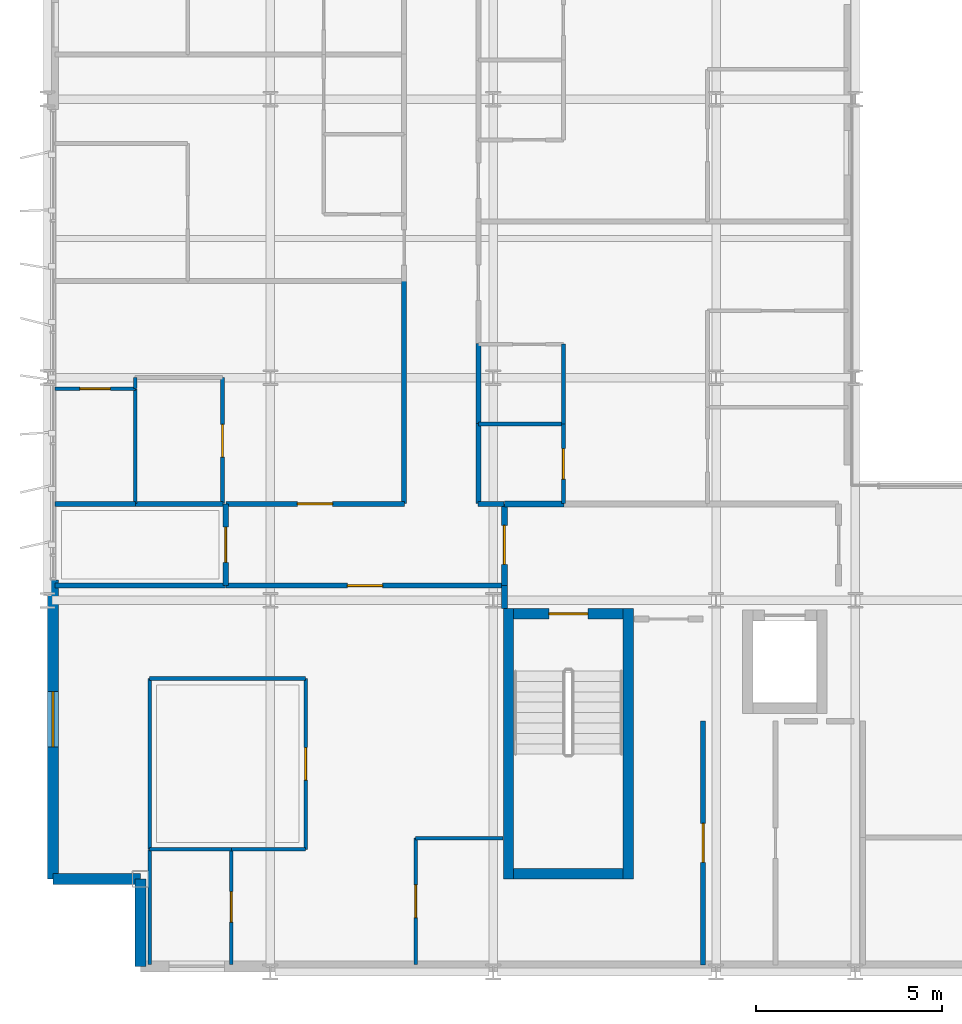
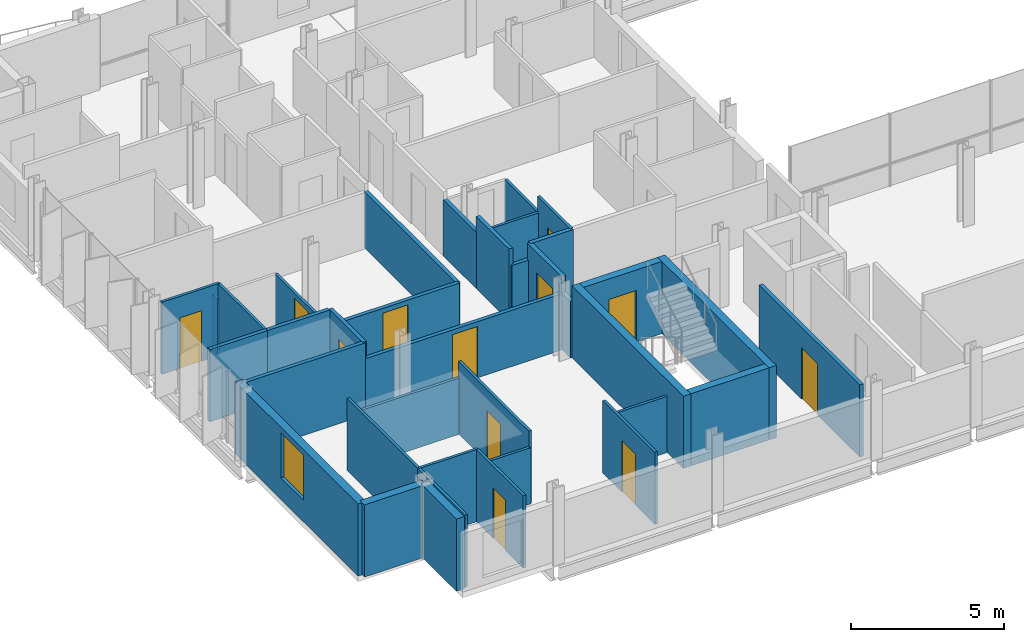
# One storey, part 27 of 39: 37 walls, 12 doors, 1 window, 13 openings.
"""IFC4 building model written with IfcOpenShell, lengths in metres."""

from ifc_helpers import new_model, si_unit, direction, frame, frame_2d, origin, place, context, subcontext, project, spatial, rectangle, extrude, material, layer, layer_set, type_object, element, fill, save


model = new_model("IFC4")

# Units and contexts
model_context = context("Model", 3, precision=1e-05, world=origin(), true_north=direction((0.0, 1.0)))
body_context = subcontext(model_context, "Body", "Model", "MODEL_VIEW")
ifc_project = project(units=[si_unit("LENGTHUNIT", "METRE"), si_unit("AREAUNIT", "SQUARE_METRE"), si_unit("VOLUMEUNIT", "CUBIC_METRE"), si_unit("PLANEANGLEUNIT", "RADIAN"), si_unit("MASSUNIT", "GRAM", prefix="KILO")], contexts=[model_context])

# Site, building, storey
site_placement = place(None, origin())
site = spatial("IfcSite", under=ifc_project, at=site_placement, CompositionType="ELEMENT")
building_placement = place(site_placement, origin())
building = spatial("IfcBuilding", under=site, at=building_placement, Name="Brevholm Reach", CompositionType="ELEMENT")
storey_placement = place(building_placement, frame((0.0, 0.0, 103.5)))
storey = spatial("IfcBuildingStorey", under=building, at=storey_placement, Name="L30", CompositionType="ELEMENT", Elevation=103.5)

# Walls
ifc_material_1 = material(Name="Concrete C50/60", Category="concrete")
ifc_layer_1 = layer(ifc_material_1, 0.280029296875)
ifc_layer_set_1 = layer_set([ifc_layer_1], Name="Concrete C50/60")
wall_type_1 = type_object("IfcWallType", Name="WAL-COR-280", PredefinedType="SHEAR", material=ifc_layer_set_1)
for number, where, z_axis, x_axis, name in (
    (1, (12.409912109375, 2.5, 0.0), (0.0, 0.0, 1.0), (0.0, 1.0, 0.0), "L30 Escape Stair ST-1 Core Wall W"),
    (2, (15.639892578125, 2.5, 0.0), (0.0, 0.0, 1.0), (0.0, 1.0, 0.0), "L30 Escape Stair ST-1 Core Wall E"),
):
    element("IfcWall", number, at=place(storey_placement, frame(where, z_axis=z_axis, x_axis=x_axis)), inside=storey, type_object=wall_type_1, Name=name, PredefinedType="SHEAR", context=body_context, shape_type="SweptSolid", body=[
        extrude(rectangle(XDim=7.280029296875, YDim=0.280029296875, at=frame_2d((3.64013671875, 0.0))), origin(), (0.0, 0.0, 1.0), 2.8798828125),
    ])
wall_1_placement = place(storey_placement, frame((12.550048828125, 2.639892578125, 0.0), z_axis=(0.0, 0.0, 1.0), x_axis=(1.0, 0.0, 0.0)))
element("IfcWall", 3, at=wall_1_placement, inside=storey, type_object=wall_type_1, Name="L30 Escape Stair ST-1 Core Wall S", PredefinedType="SHEAR", context=body_context, shape_type="SweptSolid", body=[
    extrude(rectangle(XDim=2.949951171875, YDim=0.280029296875, at=frame_2d((1.47509765625, 0.0))), origin(), (0.0, 0.0, 1.0), 2.8798828125),
])

# Wall, opening, door
wall_2_placement = place(storey_placement, frame((15.5, 9.639892578125, 0.0), z_axis=(0.0, 0.0, 1.0), x_axis=(-1.0, 0.0, 0.0)))
wall_2 = element("IfcWall", 4, at=wall_2_placement, inside=storey, type_object=wall_type_1, Name="L30 Escape Stair ST-1 Core Wall N", PredefinedType="SHEAR", context=body_context, shape_type="SweptSolid", body=[
    extrude(rectangle(XDim=2.949951171875, YDim=0.280029296875, at=frame_2d((1.47509765625, 0.0))), origin(), (0.0, 0.0, 1.0), 2.8798828125),
])
opening_1_placement = place(wall_2_placement, frame((0.949951171875, 0.0, 0.0)))
opening_1 = element("IfcOpeningElement", 5, at=opening_1_placement, cuts=wall_2, Name="Opening SD-ST-1", PredefinedType="OPENING", context=body_context, shape_type="SweptSolid", body=[
    extrude(rectangle(XDim=1.050048828125, YDim=2.06005859375, at=frame_2d((0.52490234375, 1.030029296875))), frame((0.0, 0.14990234375, 0.0), z_axis=(0.0, -1.0, 0.0), x_axis=(1.0, 0.0, 0.0)), (0.0, 0.0, 1.0), 0.300048828125),
])
ifc_material_2 = material(Name="Hardwood-Lipped Steel-Core Fire and Smoke Door", Category="steel")
door_type_1 = type_object("IfcDoorType", Name="DOR-INT-FD60S", OperationType="NOTDEFINED", PredefinedType="DOOR", material=ifc_material_2)
door_1_placement = place(opening_1_placement, origin())
door_1 = element("IfcDoor", 6, at=door_1_placement, inside=storey, type_object=door_type_1, Name="L30 Protected Stair ST-1 Lobby Door", OperationType="SINGLE_SWING_RIGHT", OverallHeight=2.06005859375, OverallWidth=1.050048828125, PredefinedType="DOOR", context=body_context, shape_type="SweptSolid", body=[
    extrude(rectangle(XDim=1.050048828125, YDim=2.06005859375, at=frame_2d((0.52490234375, 1.030029296875))), frame((0.0, 0.02490234375, 0.0), z_axis=(0.0, -1.0, 0.0), x_axis=(1.0, 0.0, 0.0)), (0.0, 0.0, 1.0), 0.050048828125),
])
fill(opening_1, door_1)

# Walls
ifc_material_3 = material(Name="Concrete C40/50", Category="concrete")
ifc_layer_2 = layer(ifc_material_3, 0.300048828125)
ifc_layer_set_2 = layer_set([ifc_layer_2], Name="Concrete C40/50")
wall_type_2 = type_object("IfcWallType", Name="WAL-EXT-300", PredefinedType="STANDARD", material=ifc_layer_set_2)
for number, where, z_axis, x_axis, name in (
    (7, (2.5, 2.5, 0.0), (0.0, 0.0, 1.0), (0.0, -1.0, 0.0), "L30 Facade Wall WAL-L30-CSW1"),
    (8, (0.14990234375, 2.5, 0.0), (0.0, 0.0, 1.0), (1.0, 0.0, 0.0), "L30 Facade Wall WAL-L30-CSW2"),
):
    element("IfcWall", number, at=place(storey_placement, frame(where, z_axis=z_axis, x_axis=x_axis)), inside=storey, type_object=wall_type_2, Name=name, PredefinedType="STANDARD", context=body_context, shape_type="SweptSolid", body=[
        extrude(rectangle(XDim=2.35009765625, YDim=0.300048828125, at=frame_2d((1.175048828125, 0.0))), origin(), (0.0, 0.0, 1.0), 2.8798828125),
    ])

# Wall, opening, window
wall_3_placement = place(storey_placement, frame((0.14990234375, 10.550048828125, 0.0), z_axis=(0.0, 0.0, 1.0), x_axis=(0.0, -1.0, 0.0)))
wall_3 = element("IfcWall", 9, at=wall_3_placement, inside=storey, type_object=wall_type_2, Name="L30 Facade Wall WAL-L30-W-S", PredefinedType="STANDARD", context=body_context, shape_type="SweptSolid", body=[
    extrude(rectangle(XDim=8.050048828125, YDim=0.300048828125, at=frame_2d((4.02490234375, 0.0))), origin(), (0.0, 0.0, 1.0), 2.8798828125),
])
opening_2_placement = place(wall_3_placement, frame((3.0, 0.0, 0.860107421875)))
opening_2 = element("IfcOpeningElement", 10, at=opening_2_placement, cuts=wall_3, Name="Opening WN-05", PredefinedType="OPENING", context=body_context, shape_type="SweptSolid", body=[
    extrude(rectangle(XDim=1.5, YDim=1.800048828125, at=frame_2d((0.75, 0.89990234375))), frame((0.0, 0.159912109375, 0.0), z_axis=(0.0, -1.0, 0.0), x_axis=(1.0, 0.0, 0.0)), (0.0, 0.0, 1.0), 0.320068359375),
])
ifc_material_4 = material(Name="Dark Anodised Aluminium and Solar-Control IGU Glass", Category="aluminium")
window_type = type_object("IfcWindowType", Name="WIN-RES-1500", PartitioningType="SINGLE_PANEL", PredefinedType="WINDOW", material=ifc_material_4)
window_placement = place(opening_2_placement, origin())
window = element("IfcWindow", 11, at=window_placement, inside=storey, type_object=window_type, Name="L30 Window WIN-L30-WS-1", OverallHeight=1.800048828125, OverallWidth=1.5, PartitioningType="SINGLE_PANEL", PredefinedType="WINDOW", context=body_context, shape_type="SweptSolid", body=[
    extrude(rectangle(XDim=1.5, YDim=1.800048828125, at=frame_2d((0.75, 0.89990234375))), frame((0.0, 0.030029296875, 0.0), z_axis=(0.0, -1.0, 0.0), x_axis=(1.0, 0.0, 0.0)), (0.0, 0.0, 1.0), 0.06005859375),
])
fill(opening_2, window)

# Wall
ifc_material_5 = material(Name="Moisture-Resistant Acoustic Gypsum Stud Partition 100 mm", Category="gypsum")
ifc_layer_3 = layer(ifc_material_5, 0.10009765625)
ifc_layer_set_3 = layer_set([ifc_layer_3], Name="Moisture-Resistant Acoustic Gypsum Stud Partition 100 mm")
wall_type_3 = type_object("IfcWallType", Name="WAL-PRT-100", PredefinedType="PARTITIONING", material=ifc_layer_set_3)
wall_4_placement = place(storey_placement, frame((2.75, 3.300048828125, 0.0), z_axis=(0.0, 0.0, 1.0), x_axis=(1.0, 0.0, 0.0)))
element("IfcWall", 12, at=wall_4_placement, inside=storey, type_object=wall_type_3, Name="L30 Internal Partition 063", PredefinedType="PARTITIONING", context=body_context, shape_type="SweptSolid", body=[
    extrude(rectangle(XDim=2.197021484375, YDim=0.10009765625, at=frame_2d((1.0986328125, 0.0))), origin(), (0.0, 0.0, 1.0), 2.8798828125),
])

# Wall, opening, door
wall_5_placement = place(storey_placement, frame((4.947021484375, 0.199951171875, 0.0), z_axis=(0.0, 0.0, 1.0), x_axis=(0.0, 1.0, 0.0)))
wall_5 = element("IfcWall", 13, at=wall_5_placement, inside=storey, type_object=wall_type_3, Name="L30 Internal Partition 064", PredefinedType="PARTITIONING", context=body_context, shape_type="SweptSolid", body=[
    extrude(rectangle(XDim=3.10009765625, YDim=0.10009765625, at=frame_2d((1.550048828125, 0.0))), origin(), (0.0, 0.0, 1.0), 2.8798828125),
])
opening_3_placement = place(wall_5_placement, frame((1.139892578125, 0.0, 0.0)))
opening_3 = element("IfcOpeningElement", 14, at=opening_3_placement, cuts=wall_5, Name="Opening ID-03", PredefinedType="OPENING", context=body_context, shape_type="SweptSolid", body=[
    extrude(rectangle(XDim=0.820068359375, YDim=2.02001953125, at=frame_2d((0.41015625, 1.010009765625))), frame((0.0, 0.06005859375, 0.0), z_axis=(0.0, -1.0, 0.0), x_axis=(1.0, 0.0, 0.0)), (0.0, 0.0, 1.0), 0.1201171875),
])
ifc_material_6 = material(Name="Moisture-Resistant Painted Timber Internal Bathroom Door", Category="wood")
door_type_2 = type_object("IfcDoorType", Name="DOR-BATH-820", OperationType="NOTDEFINED", PredefinedType="DOOR", material=ifc_material_6)
door_2_placement = place(opening_3_placement, origin())
door_2 = element("IfcDoor", 15, at=door_2_placement, inside=storey, type_object=door_type_2, Name="L30 Internal Door 025", OperationType="SINGLE_SWING_LEFT", OverallHeight=2.02001953125, OverallWidth=0.820068359375, PredefinedType="DOOR", context=body_context, shape_type="SweptSolid", body=[
    extrude(rectangle(XDim=0.820068359375, YDim=2.02001953125, at=frame_2d((0.41015625, 1.010009765625))), frame((0.0, 0.02490234375, 0.0), z_axis=(0.0, -1.0, 0.0), x_axis=(1.0, 0.0, 0.0)), (0.0, 0.0, 1.0), 0.050048828125),
])
fill(opening_3, door_2)

# Walls
wall_6_placement = place(storey_placement, frame((2.75, 0.199951171875, 0.0), z_axis=(0.0, 0.0, 1.0), x_axis=(0.0, 1.0, 0.0)))
element("IfcWall", 16, at=wall_6_placement, inside=storey, type_object=wall_type_3, Name="L30 Internal Partition 065", PredefinedType="PARTITIONING", context=body_context, shape_type="SweptSolid", body=[
    extrude(rectangle(XDim=3.10009765625, YDim=0.10009765625, at=frame_2d((1.550048828125, 0.0))), origin(), (0.0, 0.0, 1.0), 2.8798828125),
])
wall_7_placement = place(storey_placement, frame((9.912109375, 3.60009765625, 0.0), z_axis=(0.0, 0.0, 1.0), x_axis=(1.0, 0.0, 0.0)))
element("IfcWall", 17, at=wall_7_placement, inside=storey, type_object=wall_type_3, Name="L30 Internal Partition 066", PredefinedType="PARTITIONING", context=body_context, shape_type="SweptSolid", body=[
    extrude(rectangle(XDim=2.347900390625, YDim=0.10009765625, at=frame_2d((1.173828125, 0.0))), origin(), (0.0, 0.0, 1.0), 2.242919921875),
])

# Wall, opening, door
wall_8_placement = place(storey_placement, frame((9.912109375, 0.199951171875, 0.0), z_axis=(0.0, 0.0, 1.0), x_axis=(0.0, 1.0, 0.0)))
wall_8 = element("IfcWall", 18, at=wall_8_placement, inside=storey, type_object=wall_type_3, Name="L30 Internal Partition 067", PredefinedType="PARTITIONING", context=body_context, shape_type="SweptSolid", body=[
    extrude(rectangle(XDim=3.400146484375, YDim=0.10009765625, at=frame_2d((1.7001953125, 0.0))), origin(), (0.0, 0.0, 1.0), 2.8798828125),
])
opening_4_placement = place(wall_8_placement, frame((1.260009765625, 0.0, 0.0)))
opening_4 = element("IfcOpeningElement", 19, at=opening_4_placement, cuts=wall_8, Name="Opening ID-01", PredefinedType="OPENING", context=body_context, shape_type="SweptSolid", body=[
    extrude(rectangle(XDim=0.8798828125, YDim=2.0400390625, at=frame_2d((0.43994140625, 1.02001953125))), frame((0.0, 0.06005859375, 0.0), z_axis=(0.0, -1.0, 0.0), x_axis=(1.0, 0.0, 0.0)), (0.0, 0.0, 1.0), 0.1201171875),
])
ifc_material_7 = material(Name="Lacquered Ash Solid-Core Acoustic Internal Door", Category="timber")
door_type_3 = type_object("IfcDoorType", Name="DOR-INT-880", OperationType="NOTDEFINED", PredefinedType="DOOR", material=ifc_material_7)
door_3_placement = place(opening_4_placement, origin())
door_3 = element("IfcDoor", 20, at=door_3_placement, inside=storey, type_object=door_type_3, Name="L30 Internal Door 026", OperationType="SINGLE_SWING_RIGHT", OverallHeight=2.0400390625, OverallWidth=0.8798828125, PredefinedType="DOOR", context=body_context, shape_type="SweptSolid", body=[
    extrude(rectangle(XDim=0.8798828125, YDim=2.0400390625, at=frame_2d((0.43994140625, 1.02001953125))), frame((0.0, 0.02490234375, 0.0), z_axis=(0.0, -1.0, 0.0), x_axis=(1.0, 0.0, 0.0)), (0.0, 0.0, 1.0), 0.050048828125),
])
fill(opening_4, door_3)

# Wall
wall_9_placement = place(storey_placement, frame((4.950927734375, 3.300048828125, 0.0), z_axis=(0.0, 0.0, 1.0), x_axis=(1.0, 0.0, 0.0)))
element("IfcWall", 21, at=wall_9_placement, inside=storey, type_object=wall_type_3, Name="L30 Internal Partition 068", PredefinedType="PARTITIONING", context=body_context, shape_type="SweptSolid", body=[
    extrude(rectangle(XDim=1.9990234375, YDim=0.10009765625, at=frame_2d((0.99951171875, 0.0))), origin(), (0.0, 0.0, 1.0), 2.242919921875),
])

# Wall, opening, door
wall_10_placement = place(storey_placement, frame((6.949951171875, 3.300048828125, 0.0), z_axis=(0.0, 0.0, 1.0), x_axis=(0.0, 1.0, 0.0)))
wall_10 = element("IfcWall", 22, at=wall_10_placement, inside=storey, type_object=wall_type_3, Name="L30 Internal Partition 069", PredefinedType="PARTITIONING", context=body_context, shape_type="SweptSolid", body=[
    extrude(rectangle(XDim=4.599853515625, YDim=0.10009765625, at=frame_2d((2.2998046875, 0.0))), origin(), (0.0, 0.0, 1.0), 2.8798828125),
])
opening_5_placement = place(wall_10_placement, frame((1.860107421875, 0.0, 0.0)))
opening_5 = element("IfcOpeningElement", 23, at=opening_5_placement, cuts=wall_10, Name="Opening ID-01", PredefinedType="OPENING", context=body_context, shape_type="SweptSolid", body=[
    extrude(rectangle(XDim=0.8798828125, YDim=2.0400390625, at=frame_2d((0.43994140625, 1.02001953125))), frame((0.0, 0.06005859375, 0.0), z_axis=(0.0, -1.0, 0.0), x_axis=(1.0, 0.0, 0.0)), (0.0, 0.0, 1.0), 0.1201171875),
])
door_4_placement = place(opening_5_placement, origin())
door_4 = element("IfcDoor", 24, at=door_4_placement, inside=storey, type_object=door_type_3, Name="L30 Internal Door 027", OperationType="SINGLE_SWING_LEFT", OverallHeight=2.0400390625, OverallWidth=0.8798828125, PredefinedType="DOOR", context=body_context, shape_type="SweptSolid", body=[
    extrude(rectangle(XDim=0.8798828125, YDim=2.0400390625, at=frame_2d((0.43994140625, 1.02001953125))), frame((0.0, 0.02490234375, 0.0), z_axis=(0.0, -1.0, 0.0), x_axis=(1.0, 0.0, 0.0)), (0.0, 0.0, 1.0), 0.050048828125),
])
fill(opening_5, door_4)

# Walls
wall_11_placement = place(storey_placement, frame((2.75, 7.89990234375, 0.0), z_axis=(0.0, 0.0, 1.0), x_axis=(1.0, 0.0, 0.0)))
element("IfcWall", 25, at=wall_11_placement, inside=storey, type_object=wall_type_3, Name="L30 Internal Partition 070", PredefinedType="PARTITIONING", context=body_context, shape_type="SweptSolid", body=[
    extrude(rectangle(XDim=4.199951171875, YDim=0.10009765625, at=frame_2d((2.10009765625, 0.0))), origin(), (0.0, 0.0, 1.0), 2.242919921875),
])
wall_12_placement = place(storey_placement, frame((2.75, 3.303955078125, 0.0), z_axis=(0.0, 0.0, 1.0), x_axis=(0.0, 1.0, 0.0)))
element("IfcWall", 26, at=wall_12_placement, inside=storey, type_object=wall_type_3, Name="L30 Internal Partition 071", PredefinedType="PARTITIONING", context=body_context, shape_type="SweptSolid", body=[
    extrude(rectangle(XDim=4.595947265625, YDim=0.10009765625, at=frame_2d((2.2978515625, 0.0))), origin(), (0.0, 0.0, 1.0), 2.8798828125),
])
wall_13_placement = place(storey_placement, frame((2.362060546875, 12.60400390625, 0.0), z_axis=(0.0, 0.0, 1.0), x_axis=(0.0, 1.0, 0.0)))
element("IfcWall", 27, at=wall_13_placement, inside=storey, type_object=wall_type_3, Name="L30 Internal Partition 087", PredefinedType="PARTITIONING", context=body_context, shape_type="SweptSolid", body=[
    extrude(rectangle(XDim=3.095947265625, YDim=0.10009765625, at=frame_2d((1.5478515625, 0.0))), origin(), (0.0, 0.0, 1.0), 2.8798828125),
])

# Wall, opening, door
wall_14_placement = place(storey_placement, frame((0.199951171875, 15.699951171875, 0.0), z_axis=(0.0, 0.0, 1.0), x_axis=(1.0, 0.0, 0.0)))
wall_14 = element("IfcWall", 28, at=wall_14_placement, inside=storey, type_object=wall_type_3, Name="L30 Internal Partition 088", PredefinedType="PARTITIONING", context=body_context, shape_type="SweptSolid", body=[
    extrude(rectangle(XDim=2.162109375, YDim=0.10009765625, at=frame_2d((1.0810546875, 0.0))), origin(), (0.0, 0.0, 1.0), 2.8798828125),
])
opening_6_placement = place(wall_14_placement, frame((0.6708984375, 0.0, 0.0)))
opening_6 = element("IfcOpeningElement", 29, at=opening_6_placement, cuts=wall_14, Name="Opening ID-03", PredefinedType="OPENING", context=body_context, shape_type="SweptSolid", body=[
    extrude(rectangle(XDim=0.820068359375, YDim=2.02001953125, at=frame_2d((0.41015625, 1.010009765625))), frame((0.0, 0.06005859375, 0.0), z_axis=(0.0, -1.0, 0.0), x_axis=(1.0, 0.0, 0.0)), (0.0, 0.0, 1.0), 0.1201171875),
])
door_5_placement = place(opening_6_placement, origin())
door_5 = element("IfcDoor", 30, at=door_5_placement, inside=storey, type_object=door_type_2, Name="L30 Internal Door 032", OperationType="SINGLE_SWING_RIGHT", OverallHeight=2.02001953125, OverallWidth=0.820068359375, PredefinedType="DOOR", context=body_context, shape_type="SweptSolid", body=[
    extrude(rectangle(XDim=0.820068359375, YDim=2.02001953125, at=frame_2d((0.41015625, 1.010009765625))), frame((0.0, 0.02490234375, 0.0), z_axis=(0.0, -1.0, 0.0), x_axis=(1.0, 0.0, 0.0)), (0.0, 0.0, 1.0), 0.050048828125),
])
fill(opening_6, door_5)

wall_15_placement = place(storey_placement, frame((4.7119140625, 12.60400390625, 0.0), z_axis=(0.0, 0.0, 1.0), x_axis=(0.0, 1.0, 0.0)))
wall_15 = element("IfcWall", 31, at=wall_15_placement, inside=storey, type_object=wall_type_3, Name="L30 Internal Partition 089", PredefinedType="PARTITIONING", context=body_context, shape_type="SweptSolid", body=[
    extrude(rectangle(XDim=3.39599609375, YDim=0.10009765625, at=frame_2d((1.697998046875, 0.0))), origin(), (0.0, 0.0, 1.0), 2.242919921875),
])
opening_7_placement = place(wall_15_placement, frame((1.258056640625, 0.0, 0.0)))
opening_7 = element("IfcOpeningElement", 32, at=opening_7_placement, cuts=wall_15, Name="Opening ID-01", PredefinedType="OPENING", context=body_context, shape_type="SweptSolid", body=[
    extrude(rectangle(XDim=0.8798828125, YDim=2.0400390625, at=frame_2d((0.43994140625, 1.02001953125))), frame((0.0, 0.06005859375, 0.0), z_axis=(0.0, -1.0, 0.0), x_axis=(1.0, 0.0, 0.0)), (0.0, 0.0, 1.0), 0.1201171875),
])
door_6_placement = place(opening_7_placement, origin())
door_6 = element("IfcDoor", 33, at=door_6_placement, inside=storey, type_object=door_type_3, Name="L30 Internal Door 033", OperationType="SINGLE_SWING_LEFT", OverallHeight=2.0400390625, OverallWidth=0.8798828125, PredefinedType="DOOR", context=body_context, shape_type="SweptSolid", body=[
    extrude(rectangle(XDim=0.8798828125, YDim=2.0400390625, at=frame_2d((0.43994140625, 1.02001953125))), frame((0.0, 0.02490234375, 0.0), z_axis=(0.0, -1.0, 0.0), x_axis=(1.0, 0.0, 0.0)), (0.0, 0.0, 1.0), 0.050048828125),
])
fill(opening_7, door_6)

# Walls
wall_16_placement = place(storey_placement, frame((2.362060546875, 15.7041015625, 0.0), z_axis=(0.0, 0.0, 1.0), x_axis=(0.0, 1.0, 0.0)))
element("IfcWall", 34, at=wall_16_placement, inside=storey, type_object=wall_type_3, Name="L30 Internal Partition 091", PredefinedType="PARTITIONING", context=body_context, shape_type="SweptSolid", body=[
    extrude(rectangle(XDim=0.2958984375, YDim=0.10009765625, at=frame_2d((0.14794921875, 0.0))), origin(), (0.0, 0.0, 1.0), 2.242919921875),
])
wall_17_placement = place(storey_placement, frame((11.60400390625, 14.75, 0.0), z_axis=(0.0, 0.0, 1.0), x_axis=(1.0, 0.0, 0.0)))
element("IfcWall", 35, at=wall_17_placement, inside=storey, type_object=wall_type_3, Name="L30 Internal Partition 109", PredefinedType="PARTITIONING", context=body_context, shape_type="SweptSolid", body=[
    extrude(rectangle(XDim=2.284912109375, YDim=0.10009765625, at=frame_2d((1.142578125, 0.0))), origin(), (0.0, 0.0, 1.0), 2.242919921875),
])

# Wall, opening, door
wall_18_placement = place(storey_placement, frame((13.888916015625, 12.60400390625, 0.0), z_axis=(0.0, 0.0, 1.0), x_axis=(0.0, 1.0, 0.0)))
wall_18 = element("IfcWall", 36, at=wall_18_placement, inside=storey, type_object=wall_type_3, Name="L30 Internal Partition 110", PredefinedType="PARTITIONING", context=body_context, shape_type="SweptSolid", body=[
    extrude(rectangle(XDim=2.14599609375, YDim=0.10009765625, at=frame_2d((1.072998046875, 0.0))), origin(), (0.0, 0.0, 1.0), 2.8798828125),
])
opening_8_placement = place(wall_18_placement, frame((0.6630859375, 0.0, 0.0)))
opening_8 = element("IfcOpeningElement", 37, at=opening_8_placement, cuts=wall_18, Name="Opening ID-03", PredefinedType="OPENING", context=body_context, shape_type="SweptSolid", body=[
    extrude(rectangle(XDim=0.820068359375, YDim=2.02001953125, at=frame_2d((0.41015625, 1.010009765625))), frame((0.0, 0.06005859375, 0.0), z_axis=(0.0, -1.0, 0.0), x_axis=(1.0, 0.0, 0.0)), (0.0, 0.0, 1.0), 0.1201171875),
])
door_7_placement = place(opening_8_placement, origin())
door_7 = element("IfcDoor", 38, at=door_7_placement, inside=storey, type_object=door_type_2, Name="L30 Internal Door 040", OperationType="SINGLE_SWING_RIGHT", OverallHeight=2.02001953125, OverallWidth=0.820068359375, PredefinedType="DOOR", context=body_context, shape_type="SweptSolid", body=[
    extrude(rectangle(XDim=0.820068359375, YDim=2.02001953125, at=frame_2d((0.41015625, 1.010009765625))), frame((0.0, 0.02490234375, 0.0), z_axis=(0.0, -1.0, 0.0), x_axis=(1.0, 0.0, 0.0)), (0.0, 0.0, 1.0), 0.050048828125),
])
fill(opening_8, door_7)

# Wall
wall_19_placement = place(storey_placement, frame((13.888916015625, 14.75390625, 0.0), z_axis=(0.0, 0.0, 1.0), x_axis=(0.0, 1.0, 0.0)))
element("IfcWall", 39, at=wall_19_placement, inside=storey, type_object=wall_type_3, Name="L30 Internal Partition 111", PredefinedType="PARTITIONING", context=body_context, shape_type="SweptSolid", body=[
    extrude(rectangle(XDim=2.14599609375, YDim=0.10009765625, at=frame_2d((1.072998046875, 0.0))), origin(), (0.0, 0.0, 1.0), 2.242919921875),
])

# Wall, opening, door
ifc_material_8 = material(Name="Twin-Stud Acoustic Fire-Rated Gypsum Partition 140 mm", Category="gypsum")
ifc_layer_4 = layer(ifc_material_8, 0.139892578125)
ifc_layer_set_4 = layer_set([ifc_layer_4], Name="Twin-Stud Acoustic Fire-Rated Gypsum Partition 140 mm")
wall_type_4 = type_object("IfcWallType", Name="WAL-PRT-140", PredefinedType="PARTITIONING", material=ifc_layer_set_4)
wall_20_placement = place(storey_placement, frame((17.64990234375, 0.179931640625, 0.0), z_axis=(0.0, 0.0, 1.0), x_axis=(0.0, 1.0, 0.0)))
wall_20 = element("IfcWall", 40, at=wall_20_placement, inside=storey, type_object=wall_type_4, Name="L30 Internal Partition 006", PredefinedType="PARTITIONING", context=body_context, shape_type="SweptSolid", body=[
    extrude(rectangle(XDim=6.581298828125, YDim=0.139892578125, at=frame_2d((3.29052734375, 0.0))), origin(), (0.0, 0.0, 1.0), 2.8798828125),
])
opening_9_placement = place(wall_20_placement, frame((2.765625, 0.0, 0.0)))
opening_9 = element("IfcOpeningElement", 41, at=opening_9_placement, cuts=wall_20, Name="Opening FD-01", PredefinedType="OPENING", context=body_context, shape_type="SweptSolid", body=[
    extrude(rectangle(XDim=1.050048828125, YDim=2.06005859375, at=frame_2d((0.52490234375, 1.030029296875))), frame((0.0, 0.079833984375, 0.0), z_axis=(0.0, -1.0, 0.0), x_axis=(1.0, 0.0, 0.0)), (0.0, 0.0, 1.0), 0.159912109375),
])
door_8_placement = place(opening_9_placement, origin())
door_8 = element("IfcDoor", 42, at=door_8_placement, inside=storey, type_object=door_type_1, Name="L30 Internal Door 003", OperationType="SINGLE_SWING_LEFT", OverallHeight=2.06005859375, OverallWidth=1.050048828125, PredefinedType="DOOR", context=body_context, shape_type="SweptSolid", body=[
    extrude(rectangle(XDim=1.050048828125, YDim=2.06005859375, at=frame_2d((0.52490234375, 1.030029296875))), frame((0.0, 0.02490234375, 0.0), z_axis=(0.0, -1.0, 0.0), x_axis=(1.0, 0.0, 0.0)), (0.0, 0.0, 1.0), 0.050048828125),
])
fill(opening_9, door_8)

wall_21_placement = place(storey_placement, frame((4.800048828125, 10.39990234375, 0.0), z_axis=(0.0, 0.0, 1.0), x_axis=(1.0, 0.0, 0.0)))
wall_21 = element("IfcWall", 43, at=wall_21_placement, inside=storey, type_object=wall_type_4, Name="L30 Internal Partition 023", PredefinedType="PARTITIONING", context=body_context, shape_type="SweptSolid", body=[
    extrude(rectangle(XDim=7.495849609375, YDim=0.139892578125, at=frame_2d((3.748046875, 0.0))), origin(), (0.0, 0.0, 1.0), 2.242919921875),
])
opening_10_placement = place(wall_21_placement, frame((3.27294921875, 0.0, 0.0)))
opening_10 = element("IfcOpeningElement", 44, at=opening_10_placement, cuts=wall_21, Name="Opening ID-30", PredefinedType="OPENING", context=body_context, shape_type="SweptSolid", body=[
    extrude(rectangle(XDim=0.949951171875, YDim=2.050048828125, at=frame_2d((0.47509765625, 1.02490234375))), frame((0.0, 0.079833984375, 0.0), z_axis=(0.0, -1.0, 0.0), x_axis=(1.0, 0.0, 0.0)), (0.0, 0.0, 1.0), 0.159912109375),
])
ifc_material_9 = material(Name="European Oak Veneered Solid-Core Fire Entrance Door", Category="timber")
door_type_4 = type_object("IfcDoorType", Name="DOR-FLT-FD30S", OperationType="NOTDEFINED", PredefinedType="DOOR", material=ifc_material_9)
door_9_placement = place(opening_10_placement, origin())
door_9 = element("IfcDoor", 45, at=door_9_placement, inside=storey, type_object=door_type_4, Name="L30 Internal Door 012", OperationType="SINGLE_SWING_RIGHT", OverallHeight=2.050048828125, OverallWidth=0.949951171875, PredefinedType="DOOR", context=body_context, shape_type="SweptSolid", body=[
    extrude(rectangle(XDim=0.949951171875, YDim=2.050048828125, at=frame_2d((0.47509765625, 1.02490234375))), frame((0.0, 0.02490234375, 0.0), z_axis=(0.0, -1.0, 0.0), x_axis=(1.0, 0.0, 0.0)), (0.0, 0.0, 1.0), 0.050048828125),
])
fill(opening_10, door_9)

wall_22_placement = place(storey_placement, frame((4.800048828125, 10.39990234375, 0.0), z_axis=(0.0, 0.0, 1.0), x_axis=(0.0, 1.0, 0.0)))
wall_22 = element("IfcWall", 46, at=wall_22_placement, inside=storey, type_object=wall_type_4, Name="L30 Internal Partition 024", PredefinedType="PARTITIONING", context=body_context, shape_type="SweptSolid", body=[
    extrude(rectangle(XDim=2.2001953125, YDim=0.139892578125, at=frame_2d((1.10009765625, 0.0))), origin(), (0.0, 0.0, 1.0), 2.8798828125),
])
opening_11_placement = place(wall_22_placement, frame((0.625, 0.0, 0.0)))
opening_11 = element("IfcOpeningElement", 47, at=opening_11_placement, cuts=wall_22, Name="Opening ID-30", PredefinedType="OPENING", context=body_context, shape_type="SweptSolid", body=[
    extrude(rectangle(XDim=0.949951171875, YDim=2.050048828125, at=frame_2d((0.47509765625, 1.02490234375))), frame((0.0, 0.079833984375, 0.0), z_axis=(0.0, -1.0, 0.0), x_axis=(1.0, 0.0, 0.0)), (0.0, 0.0, 1.0), 0.159912109375),
])
door_10_placement = place(opening_11_placement, origin())
door_10 = element("IfcDoor", 48, at=door_10_placement, inside=storey, type_object=door_type_4, Name="L30 Internal Door 013", OperationType="SINGLE_SWING_LEFT", OverallHeight=2.050048828125, OverallWidth=0.949951171875, PredefinedType="DOOR", context=body_context, shape_type="SweptSolid", body=[
    extrude(rectangle(XDim=0.949951171875, YDim=2.050048828125, at=frame_2d((0.47509765625, 1.02490234375))), frame((0.0, 0.02490234375, 0.0), z_axis=(0.0, -1.0, 0.0), x_axis=(1.0, 0.0, 0.0)), (0.0, 0.0, 1.0), 0.050048828125),
])
fill(opening_11, door_10)

wall_23_placement = place(storey_placement, frame((4.800048828125, 12.60009765625, 0.0), z_axis=(0.0, 0.0, 1.0), x_axis=(1.0, 0.0, 0.0)))
wall_23 = element("IfcWall", 49, at=wall_23_placement, inside=storey, type_object=wall_type_4, Name="L30 Internal Partition 025", PredefinedType="PARTITIONING", context=body_context, shape_type="SweptSolid", body=[
    extrude(rectangle(XDim=4.807373046875, YDim=0.139892578125, at=frame_2d((2.40380859375, 0.0))), origin(), (0.0, 0.0, 1.0), 2.242919921875),
])
opening_12_placement = place(wall_23_placement, frame((1.9287109375, 0.0, 0.0)))
opening_12 = element("IfcOpeningElement", 50, at=opening_12_placement, cuts=wall_23, Name="Opening ID-30", PredefinedType="OPENING", context=body_context, shape_type="SweptSolid", body=[
    extrude(rectangle(XDim=0.949951171875, YDim=2.050048828125, at=frame_2d((0.47509765625, 1.02490234375))), frame((0.0, 0.079833984375, 0.0), z_axis=(0.0, -1.0, 0.0), x_axis=(1.0, 0.0, 0.0)), (0.0, 0.0, 1.0), 0.159912109375),
])
door_11_placement = place(opening_12_placement, origin())
door_11 = element("IfcDoor", 51, at=door_11_placement, inside=storey, type_object=door_type_4, Name="L30 Internal Door 014", OperationType="SINGLE_SWING_RIGHT", OverallHeight=2.050048828125, OverallWidth=0.949951171875, PredefinedType="DOOR", context=body_context, shape_type="SweptSolid", body=[
    extrude(rectangle(XDim=0.949951171875, YDim=2.050048828125, at=frame_2d((0.47509765625, 1.02490234375))), frame((0.0, 0.02490234375, 0.0), z_axis=(0.0, -1.0, 0.0), x_axis=(1.0, 0.0, 0.0)), (0.0, 0.0, 1.0), 0.050048828125),
])
fill(opening_12, door_11)

# Walls
wall_24_placement = place(storey_placement, frame((11.5927734375, 12.60009765625, 0.0), z_axis=(0.0, 0.0, 1.0), x_axis=(1.0, 0.0, 0.0)))
element("IfcWall", 52, at=wall_24_placement, inside=storey, type_object=wall_type_4, Name="L30 Internal Partition 026", PredefinedType="PARTITIONING", context=body_context, shape_type="SweptSolid", body=[
    extrude(rectangle(XDim=0.703125, YDim=0.139892578125, at=frame_2d((0.3515625, 0.0))), origin(), (0.0, 0.0, 1.0), 2.242919921875),
])
wall_25_placement = place(storey_placement, frame((9.60009765625, 12.60400390625, 0.0), z_axis=(0.0, 0.0, 1.0), x_axis=(0.0, 1.0, 0.0)))
element("IfcWall", 53, at=wall_25_placement, inside=storey, type_object=wall_type_4, Name="L30 Internal Partition 031", PredefinedType="PARTITIONING", context=body_context, shape_type="SweptSolid", body=[
    extrude(rectangle(XDim=6.00732421875, YDim=0.139892578125, at=frame_2d((3.003662109375, 0.0))), origin(), (0.0, 0.0, 1.0), 2.242919921875),
])
wall_26_placement = place(storey_placement, frame((11.60009765625, 12.60400390625, 0.0), z_axis=(0.0, 0.0, 1.0), x_axis=(0.0, 1.0, 0.0)))
element("IfcWall", 54, at=wall_26_placement, inside=storey, type_object=wall_type_4, Name="L30 Internal Partition 038", PredefinedType="PARTITIONING", context=body_context, shape_type="SweptSolid", body=[
    extrude(rectangle(XDim=2.1572265625, YDim=0.139892578125, at=frame_2d((1.07861328125, 0.0))), origin(), (0.0, 0.0, 1.0), 2.8798828125),
])
wall_27_placement = place(storey_placement, frame((11.60009765625, 14.74267578125, 0.0), z_axis=(0.0, 0.0, 1.0), x_axis=(0.0, 1.0, 0.0)))
element("IfcWall", 55, at=wall_27_placement, inside=storey, type_object=wall_type_4, Name="L30 Internal Partition 039", PredefinedType="PARTITIONING", context=body_context, shape_type="SweptSolid", body=[
    extrude(rectangle(XDim=2.168701171875, YDim=0.139892578125, at=frame_2d((1.08447265625, 0.0))), origin(), (0.0, 0.0, 1.0), 2.242919921875),
])
wall_28_placement = place(storey_placement, frame((0.199951171875, 10.39990234375, 0.0), z_axis=(0.0, 0.0, 1.0), x_axis=(1.0, 0.0, 0.0)))
element("IfcWall", 56, at=wall_28_placement, inside=storey, type_object=wall_type_4, Name="L30 Internal Partition 072", PredefinedType="PARTITIONING", context=body_context, shape_type="SweptSolid", body=[
    extrude(rectangle(XDim=4.595947265625, YDim=0.139892578125, at=frame_2d((2.2978515625, 0.0))), origin(), (0.0, 0.0, 1.0), 2.8798828125),
])
wall_29_placement = place(storey_placement, frame((0.199951171875, 12.60009765625, 0.0), z_axis=(0.0, 0.0, 1.0), x_axis=(1.0, 0.0, 0.0)))
element("IfcWall", 57, at=wall_29_placement, inside=storey, type_object=wall_type_4, Name="L30 Internal Partition 073", PredefinedType="PARTITIONING", context=body_context, shape_type="SweptSolid", body=[
    extrude(rectangle(XDim=2.17333984375, YDim=0.139892578125, at=frame_2d((1.086669921875, 0.0))), origin(), (0.0, 0.0, 1.0), 2.8798828125),
])
wall_30_placement = place(storey_placement, frame((2.354736328125, 12.60009765625, 0.0), z_axis=(0.0, 0.0, 1.0), x_axis=(1.0, 0.0, 0.0)))
element("IfcWall", 58, at=wall_30_placement, inside=storey, type_object=wall_type_4, Name="L30 Internal Partition 074", PredefinedType="PARTITIONING", context=body_context, shape_type="SweptSolid", body=[
    extrude(rectangle(XDim=2.36865234375, YDim=0.139892578125, at=frame_2d((1.184326171875, 0.0))), origin(), (0.0, 0.0, 1.0), 2.8798828125),
])

# Wall, opening, door
ifc_material_10 = material(Name="Twin-Frame Fire-Rated Gypsum Board and Mineral Wool 160 mm", Category="gypsum")
ifc_layer_5 = layer(ifc_material_10, 0.159912109375)
ifc_layer_set_5 = layer_set([ifc_layer_5], Name="Twin-Frame Fire-Rated Gypsum Board and Mineral Wool 160 mm")
wall_type_5 = type_object("IfcWallType", Name="WAL-PRT-160", PredefinedType="PARTITIONING", material=ifc_layer_set_5)
wall_31_placement = place(storey_placement, frame((12.300048828125, 10.388671875, 0.0), z_axis=(0.0, 0.0, 1.0), x_axis=(0.0, 1.0, 0.0)))
wall_31 = element("IfcWall", 59, at=wall_31_placement, inside=storey, type_object=wall_type_5, Name="L30 Internal Partition 013", PredefinedType="PARTITIONING", context=body_context, shape_type="SweptSolid", body=[
    extrude(rectangle(XDim=2.21142578125, YDim=0.159912109375, at=frame_2d((1.105712890625, 0.0))), origin(), (0.0, 0.0, 1.0), 2.8798828125),
])
opening_13_placement = place(wall_31_placement, frame((0.58056640625, 0.0, 0.0)))
opening_13 = element("IfcOpeningElement", 60, at=opening_13_placement, cuts=wall_31, Name="Opening FD-01", PredefinedType="OPENING", context=body_context, shape_type="SweptSolid", body=[
    extrude(rectangle(XDim=1.050048828125, YDim=2.06005859375, at=frame_2d((0.52490234375, 1.030029296875))), frame((0.0, 0.08984375, 0.0), z_axis=(0.0, -1.0, 0.0), x_axis=(1.0, 0.0, 0.0)), (0.0, 0.0, 1.0), 0.179931640625),
])
door_12_placement = place(opening_13_placement, origin())
door_12 = element("IfcDoor", 61, at=door_12_placement, inside=storey, type_object=door_type_1, Name="L30 Internal Door 008", OperationType="SINGLE_SWING_RIGHT", OverallHeight=2.06005859375, OverallWidth=1.050048828125, PredefinedType="DOOR", context=body_context, shape_type="SweptSolid", body=[
    extrude(rectangle(XDim=1.050048828125, YDim=2.06005859375, at=frame_2d((0.52490234375, 1.030029296875))), frame((0.0, 0.02490234375, 0.0), z_axis=(0.0, -1.0, 0.0), x_axis=(1.0, 0.0, 0.0)), (0.0, 0.0, 1.0), 0.050048828125),
])
fill(opening_13, door_12)

# Walls
wall_32_placement = place(storey_placement, frame((12.300048828125, 9.7900390625, 0.0), z_axis=(0.0, 0.0, 1.0), x_axis=(0.0, 1.0, 0.0)))
element("IfcWall", 62, at=wall_32_placement, inside=storey, type_object=wall_type_5, Name="L30 Internal Partition 015", PredefinedType="PARTITIONING", context=body_context, shape_type="SweptSolid", body=[
    extrude(rectangle(XDim=0.6171875, YDim=0.159912109375, at=frame_2d((0.30859375, 0.0))), origin(), (0.0, 0.0, 1.0), 2.242919921875),
])
wall_33_placement = place(storey_placement, frame((12.300048828125, 12.60009765625, 0.0), z_axis=(0.0, 0.0, 1.0), x_axis=(1.0, 0.0, 0.0)))
element("IfcWall", 63, at=wall_33_placement, inside=storey, type_object=wall_type_5, Name="L30 Internal Partition 016", PredefinedType="PARTITIONING", context=body_context, shape_type="SweptSolid", body=[
    extrude(rectangle(XDim=1.600341796875, YDim=0.159912109375, at=frame_2d((0.80029296875, 0.0))), origin(), (0.0, 0.0, 1.0), 2.8798828125),
])

save(model, "model.ifc")
